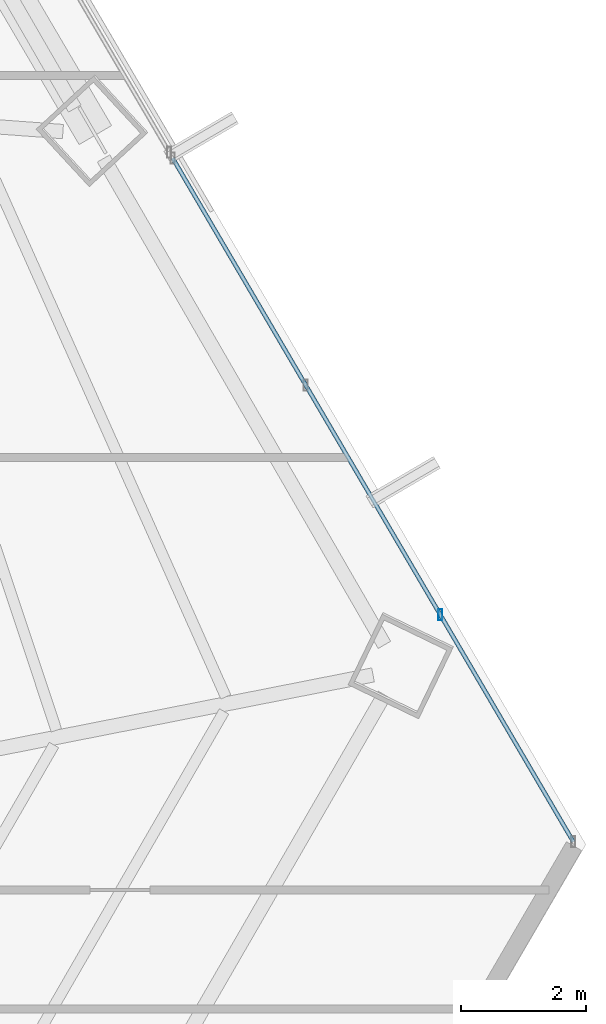
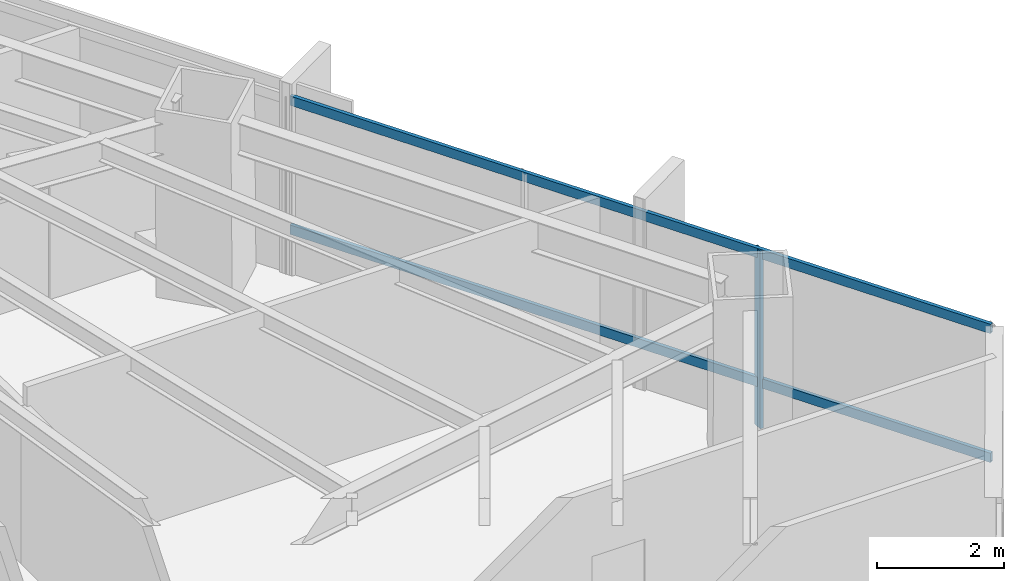
# One storey, part 21 of 33: 3 members, 1 element without a shape of its own.
"""IFC4 building model written with IfcOpenShell, lengths in metres."""

from ifc_helpers import new_model, si_unit, direction, frame, origin, origin_2d, place, context, subcontext, project, spatial, hollow_rectangle, extrude, source, transform, mapped, material, material_profile, profile_set, type_object, type_shapes, element, aggregate, save


model = new_model("IFC4")

# Units and contexts
model_context = context("Model", 3, precision=1e-05, world=origin(), true_north=direction((0.0, 1.0)))
body_context = subcontext(model_context, "Body", "Model", "MODEL_VIEW")
ifc_project = project(units=[si_unit("LENGTHUNIT", "METRE"), si_unit("AREAUNIT", "SQUARE_METRE"), si_unit("VOLUMEUNIT", "CUBIC_METRE"), si_unit("PLANEANGLEUNIT", "RADIAN"), si_unit("MASSUNIT", "GRAM", prefix="KILO")], contexts=[model_context])

# Site, building, storey
site_placement = place(None, origin())
site = spatial("IfcSite", under=ifc_project, at=site_placement, CompositionType="ELEMENT")
building_placement = place(site_placement, origin())
building = spatial("IfcBuilding", under=site, at=building_placement, Name="Caelisora Broadcast Tower", CompositionType="ELEMENT")
storey_placement = place(building_placement, frame((0.0, 0.0, 38.550048828125)))
storey = spatial("IfcBuildingStorey", under=building, at=storey_placement, Name="L09", CompositionType="ELEMENT", Elevation=38.550048828125)

# Curtain wall, members
ifc_material_1 = material(Name="Unitised Aluminium and Low-E Glass Curtain Wall", Category="glass")
curtain_wall_type = type_object("IfcCurtainWallType", Name="CW-Z1", PredefinedType="NOTDEFINED", material=ifc_material_1)
curtain_wall_placement = place(storey_placement, origin())
curtain_wall = element("IfcCurtainWall", 1, at=curtain_wall_placement, inside=storey, type_object=curtain_wall_type, Name="L09 curtain wall CW-Z1", PredefinedType="NOTDEFINED")
ifc_material_2 = material(Name="Aluminium 6063-T6 Anodised Terracotta Bronze", Category="aluminium")
ifc_material_profile_1 = material_profile(ifc_material_2, hollow_rectangle(XDim=0.06494140625, YDim=0.179931640625, WallThickness=0.00341796875, at=origin_2d()), Name="Aluminium 6063-T6 Anodised Terracotta Bronze")
ifc_profile_set_1 = profile_set([ifc_material_profile_1], Name="Aluminium 6063-T6 Anodised Terracotta Bronze")
member_type_1 = type_object("IfcMemberType", Name="CWM-02", PredefinedType="MULLION", material=ifc_profile_set_1)
shared_shape_1 = source(origin(), body_context, "Body", "SweptSolid", [
    extrude(hollow_rectangle(XDim=0.06494140625, YDim=0.179931640625, WallThickness=0.00341796875, at=origin_2d()), origin(), (0.0, 0.0, 1.0), 3.39990234375),
])
type_shapes(member_type_1, [shared_shape_1])
member_1_placement = place(storey_placement, frame((62.454833984375, 21.490478515625, 0.0), z_axis=(0.0, 0.0, 1.0), x_axis=(1.0, 0.0, 0.0)))
member_1 = element("IfcMember", 2, at=member_1_placement, type_object=member_type_1, Name="L09-CW-B03 mullion #2", PredefinedType="MULLION", context=body_context, shape_type="MappedRepresentation", body=[
    mapped(shared_shape_1, transform((0.0, 0.0, 0.0), scale=1.0)),
])
ifc_material_profile_2 = material_profile(ifc_material_2, hollow_rectangle(XDim=0.06494140625, YDim=0.179931640625, WallThickness=0.00341796875, at=origin_2d()), Name="Aluminium 6063-T6 Anodised Terracotta Bronze")
ifc_profile_set_2 = profile_set([ifc_material_profile_2], Name="Aluminium 6063-T6 Anodised Terracotta Bronze")
member_type_2 = type_object("IfcMemberType", Name="CWT-01", PredefinedType="USERDEFINED", material=ifc_profile_set_2)
shared_shape_2 = source(origin(), body_context, "Body", "SweptSolid", [
    extrude(hollow_rectangle(XDim=0.06494140625, YDim=0.179931640625, WallThickness=0.00341796875, at=origin_2d()), origin(), (0.0, 0.0, 1.0), 12.64990234375),
])
type_shapes(member_type_2, [shared_shape_2])
member_2_placement = place(storey_placement, frame((58.18212890625, 28.78076171875, 0.849853515625), z_axis=(0.505653127613, -0.862736874449, 0.0), x_axis=(0.862736874449, 0.505653127613, 0.0)))
member_2 = element("IfcMember", 3, at=member_2_placement, type_object=member_type_2, Name="L09-CW-B03 transom #1", ObjectType="TRANSOM", PredefinedType="USERDEFINED", context=body_context, shape_type="MappedRepresentation", body=[
    mapped(shared_shape_2, transform((0.0, 0.0, 0.0), scale=1.0)),
])
member_3_placement = place(storey_placement, frame((58.18212890625, 28.78076171875, 3.320068359375), z_axis=(0.505653127613, -0.862736874449, 0.0), x_axis=(0.862736874449, 0.505653127613, 0.0)))
member_3 = element("IfcMember", 4, at=member_3_placement, type_object=member_type_2, Name="L09-CW-B03 transom #2", ObjectType="TRANSOM", PredefinedType="USERDEFINED", context=body_context, shape_type="MappedRepresentation", body=[
    mapped(shared_shape_2, transform((0.0, 0.0, 0.0), scale=1.0)),
])
aggregate(curtain_wall, [member_1, member_2, member_3])

save(model, "model.ifc")
